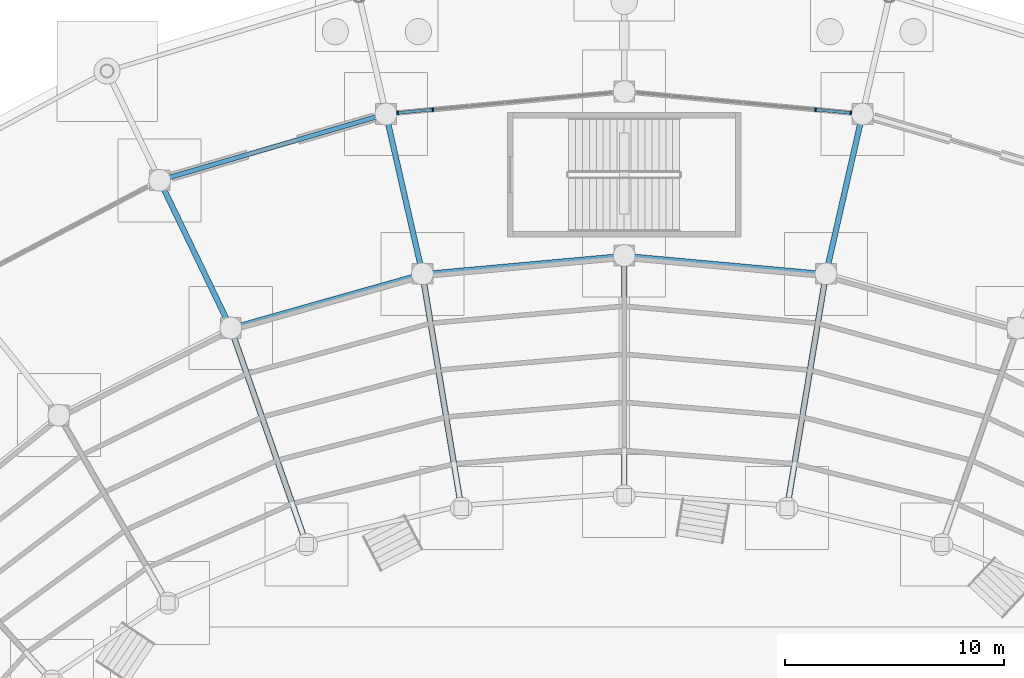
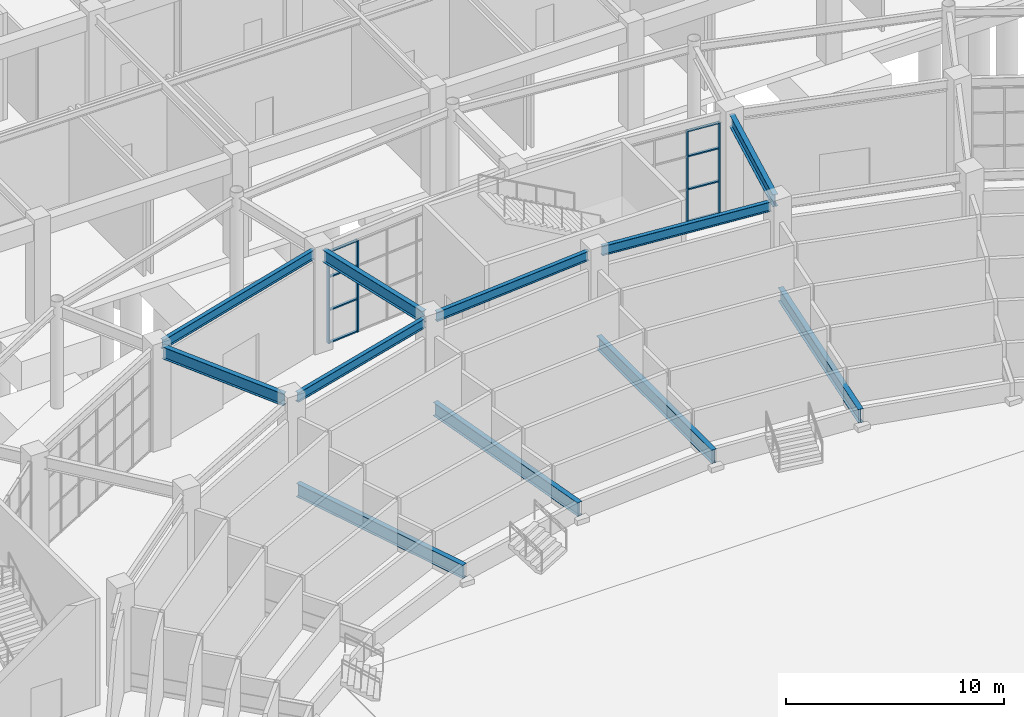
# One storey, part 47 of 121: 12 members, 11 beams, 2 elements without a shape of their own.
"""IFC4 building model written with IfcOpenShell, lengths in metres."""

from ifc_helpers import new_model, si_unit, direction, frame, origin, origin_2d, place, context, subcontext, project, spatial, rectangle, i_section, extrude, material, material_profile, profile_set, type_object, element, aggregate, save


model = new_model("IFC4")

# Units and contexts
model_context = context("Model", 3, precision=1e-05, world=origin(), true_north=direction((0.0, 1.0)))
body_context = subcontext(model_context, "Body", "Model", "MODEL_VIEW")
ifc_project = project(units=[si_unit("LENGTHUNIT", "METRE"), si_unit("AREAUNIT", "SQUARE_METRE"), si_unit("VOLUMEUNIT", "CUBIC_METRE"), si_unit("PLANEANGLEUNIT", "RADIAN"), si_unit("MASSUNIT", "GRAM", prefix="KILO")], contexts=[model_context])

# Site, building, storey
site_placement = place(None, origin())
site = spatial("IfcSite", under=ifc_project, at=site_placement, CompositionType="ELEMENT")
building_placement = place(site_placement, origin())
building = spatial("IfcBuilding", under=site, at=building_placement, Name="Cuetzalor Civic Arena", CompositionType="ELEMENT")
storey_placement = place(building_placement, origin())
storey = spatial("IfcBuildingStorey", under=building, at=storey_placement, Name="L00", CompositionType="ELEMENT", Elevation=0.0)

# Curtain wall, members
ifc_material_1 = material(Name="Anodised dark bronze aluminium and low-E solar glass", Category="aluminium")
curtain_wall_type = type_object("IfcCurtainWallType", Name="UnitisedCW_9950x5150", PredefinedType="USERDEFINED", material=ifc_material_1)
curtain_wall_1_placement = place(storey_placement, origin())
curtain_wall_1 = element("IfcCurtainWall", 1, at=curtain_wall_1_placement, inside=storey, type_object=curtain_wall_type, Name="Drum Ground Recessed Concourse Curtain Wall L00-005", ObjectType="UNITISED CURTAIN WALL", PredefinedType="USERDEFINED")
ifc_material_2 = material(Name="Anodised dark bronze aluminium", Category="aluminium")
ifc_material_profile_1 = material_profile(ifc_material_2, rectangle(XDim=0.070068359375, YDim=0.179931640625, at=origin_2d()), Name="ALU MULLION 70x180")
ifc_profile_set_1 = profile_set([ifc_material_profile_1], Name="Anodised dark bronze aluminium")
member_type_1 = type_object("IfcMemberType", Name="CurtainWallMullion_65x180", PredefinedType="MULLION", material=ifc_profile_set_1)
member_1_placement = place(storey_placement, frame((8.754638671875, 40.174560546875, 0.0), z_axis=(0.0, 0.0, 1.0), x_axis=(0.995585155665, -0.093862654023, 0.0)))
member_1 = element("IfcMember", 2, at=member_1_placement, type_object=member_type_1, Name="CW-05 mullion 6", PredefinedType="MULLION", context=body_context, shape_type="SweptSolid", body=[
    extrude(rectangle(XDim=0.070068359375, YDim=0.179931640625, at=origin_2d()), origin(), (0.0, 0.0, 1.0), 5.156982421875),
])
member_2_placement = place(storey_placement, frame((10.371337890625, 40.022216796875, 0.0), z_axis=(0.0, 0.0, 1.0), x_axis=(0.995585155665, -0.093862654023, 0.0)))
member_2 = element("IfcMember", 3, at=member_2_placement, type_object=member_type_1, Name="CW-05 mullion 7", PredefinedType="MULLION", context=body_context, shape_type="SweptSolid", body=[
    extrude(rectangle(XDim=0.070068359375, YDim=0.179931640625, at=origin_2d()), origin(), (0.0, 0.0, 1.0), 5.156982421875),
])

curtain_wall_2_placement = place(storey_placement, origin())
curtain_wall_2 = element("IfcCurtainWall", 4, at=curtain_wall_2_placement, inside=storey, type_object=curtain_wall_type, Name="Drum Ground Recessed Concourse Curtain Wall L00-006", ObjectType="UNITISED CURTAIN WALL", PredefinedType="USERDEFINED")
member_3_placement = place(storey_placement, frame((-10.371337890625, 40.022216796875, 0.0), z_axis=(0.0, 0.0, 1.0), x_axis=(0.995585155665, 0.093862654023, 0.0)))
member_3 = element("IfcMember", 5, at=member_3_placement, type_object=member_type_1, Name="CW-05 mullion 1", PredefinedType="MULLION", context=body_context, shape_type="SweptSolid", body=[
    extrude(rectangle(XDim=0.070068359375, YDim=0.179931640625, at=origin_2d()), origin(), (0.0, 0.0, 1.0), 5.156982421875),
])
member_4_placement = place(storey_placement, frame((-8.754638671875, 40.174560546875, 0.0), z_axis=(0.0, 0.0, 1.0), x_axis=(0.995585155665, 0.093862654023, 0.0)))
member_4 = element("IfcMember", 6, at=member_4_placement, type_object=member_type_1, Name="CW-05 mullion 2", PredefinedType="MULLION", context=body_context, shape_type="SweptSolid", body=[
    extrude(rectangle(XDim=0.070068359375, YDim=0.179931640625, at=origin_2d()), origin(), (0.0, 0.0, 1.0), 5.156982421875),
])

# Member
ifc_material_3 = material(Name="Anodised dark bronze aluminium", Category="aluminium")
ifc_material_profile_2 = material_profile(ifc_material_3, rectangle(XDim=0.139892578125, YDim=0.070068359375, at=origin_2d()), Name="ALU TRANSOM 70x140")
ifc_profile_set_2 = profile_set([ifc_material_profile_2], Name="Anodised dark bronze aluminium")
member_type_2 = type_object("IfcMemberType", Name="CurtainWallTransom_65x140", PredefinedType="USERDEFINED", material=ifc_profile_set_2)
member_5_placement = place(storey_placement, frame((8.78955078125, 40.17138671875, 0.034912109375), z_axis=(0.995575620742, -0.093963734407, 0.0), x_axis=(0.093963734407, 0.995575620742, 0.0)))
member_5 = element("IfcMember", 7, at=member_5_placement, type_object=member_type_2, Name="CW-05 transom 6.1", ObjectType="TRANSOM", PredefinedType="USERDEFINED", context=body_context, shape_type="SweptSolid", body=[
    extrude(rectangle(XDim=0.139892578125, YDim=0.070068359375, at=origin_2d()), origin(), (0.0, 0.0, 1.0), 1.5537109375),
])

member_6_placement = place(storey_placement, frame((8.78955078125, 40.17138671875, 1.85693359375), z_axis=(0.995575620742, -0.093963734407, 0.0), x_axis=(0.093963734407, 0.995575620742, 0.0)))
member_6 = element("IfcMember", 8, at=member_6_placement, type_object=member_type_2, Name="CW-05 transom 6.2", ObjectType="TRANSOM", PredefinedType="USERDEFINED", context=body_context, shape_type="SweptSolid", body=[
    extrude(rectangle(XDim=0.139892578125, YDim=0.070068359375, at=origin_2d()), origin(), (0.0, 0.0, 1.0), 1.5537109375),
])

member_7_placement = place(storey_placement, frame((8.78955078125, 40.17138671875, 3.712890625), z_axis=(0.995575620742, -0.093963734407, 0.0), x_axis=(0.093963734407, 0.995575620742, 0.0)))
member_7 = element("IfcMember", 9, at=member_7_placement, type_object=member_type_2, Name="CW-05 transom 6.3", ObjectType="TRANSOM", PredefinedType="USERDEFINED", context=body_context, shape_type="SweptSolid", body=[
    extrude(rectangle(XDim=0.139892578125, YDim=0.070068359375, at=origin_2d()), origin(), (0.0, 0.0, 1.0), 1.5537109375),
])

member_8_placement = place(storey_placement, frame((8.78955078125, 40.17138671875, 5.1220703125), z_axis=(0.995575620742, -0.093963734407, 0.0), x_axis=(0.093963734407, 0.995575620742, 0.0)))
member_8 = element("IfcMember", 10, at=member_8_placement, type_object=member_type_2, Name="CW-05 transom 6.4", ObjectType="TRANSOM", PredefinedType="USERDEFINED", context=body_context, shape_type="SweptSolid", body=[
    extrude(rectangle(XDim=0.139892578125, YDim=0.070068359375, at=origin_2d()), origin(), (0.0, 0.0, 1.0), 1.5537109375),
])

aggregate(curtain_wall_1, [member_1, member_2, member_5, member_6, member_7, member_8])

member_9_placement = place(storey_placement, frame((-10.33642578125, 40.025390625, 0.034912109375), z_axis=(0.995575620742, 0.093963734407, 0.0), x_axis=(-0.093963734407, 0.995575620742, 0.0)))
member_9 = element("IfcMember", 11, at=member_9_placement, type_object=member_type_2, Name="CW-05 transom 1.1", ObjectType="TRANSOM", PredefinedType="USERDEFINED", context=body_context, shape_type="SweptSolid", body=[
    extrude(rectangle(XDim=0.139892578125, YDim=0.070068359375, at=origin_2d()), origin(), (0.0, 0.0, 1.0), 1.5537109375),
])

member_10_placement = place(storey_placement, frame((-10.33642578125, 40.025390625, 1.85693359375), z_axis=(0.995575620742, 0.093963734407, 0.0), x_axis=(-0.093963734407, 0.995575620742, 0.0)))
member_10 = element("IfcMember", 12, at=member_10_placement, type_object=member_type_2, Name="CW-05 transom 1.2", ObjectType="TRANSOM", PredefinedType="USERDEFINED", context=body_context, shape_type="SweptSolid", body=[
    extrude(rectangle(XDim=0.139892578125, YDim=0.070068359375, at=origin_2d()), origin(), (0.0, 0.0, 1.0), 1.5537109375),
])

member_11_placement = place(storey_placement, frame((-10.33642578125, 40.025390625, 3.712890625), z_axis=(0.995575620742, 0.093963734407, 0.0), x_axis=(-0.093963734407, 0.995575620742, 0.0)))
member_11 = element("IfcMember", 13, at=member_11_placement, type_object=member_type_2, Name="CW-05 transom 1.3", ObjectType="TRANSOM", PredefinedType="USERDEFINED", context=body_context, shape_type="SweptSolid", body=[
    extrude(rectangle(XDim=0.139892578125, YDim=0.070068359375, at=origin_2d()), origin(), (0.0, 0.0, 1.0), 1.5537109375),
])

member_12_placement = place(storey_placement, frame((-10.33642578125, 40.025390625, 5.1220703125), z_axis=(0.995575620742, 0.093963734407, 0.0), x_axis=(-0.093963734407, 0.995575620742, 0.0)))
member_12 = element("IfcMember", 14, at=member_12_placement, type_object=member_type_2, Name="CW-05 transom 1.4", ObjectType="TRANSOM", PredefinedType="USERDEFINED", context=body_context, shape_type="SweptSolid", body=[
    extrude(rectangle(XDim=0.139892578125, YDim=0.070068359375, at=origin_2d()), origin(), (0.0, 0.0, 1.0), 1.5537109375),
])

aggregate(curtain_wall_2, [member_3, member_4, member_9, member_10, member_11, member_12])

# Beams
ifc_material_4 = material(Name="Steel S355", Category="steel")
ifc_material_profile_3 = material_profile(ifc_material_4, i_section(OverallWidth=0.264892578125, OverallDepth=0.7529296875, WebThickness=0.01318359375, FlangeThickness=0.01708984375, at=origin_2d()), Name="W760x147")
ifc_profile_set_3 = profile_set([ifc_material_profile_3], Name="Steel S355")
beam_type_1 = type_object("IfcBeamType", Name="LowerBowlRakerBeam_W760", PredefinedType="USERDEFINED", material=ifc_profile_set_3)
beam_1_placement = place(storey_placement, frame((7.45458984375, 21.935791015625, 0.6435546875), z_axis=(0.163748622815, 0.986502097578, 0.0), x_axis=(-0.986502097578, 0.163748622815, 0.0)))
element("IfcBeam", 15, at=beam_1_placement, inside=storey, type_object=beam_type_1, Name="Lower Bowl Raker Beam R07", ObjectType="RAKER", PredefinedType="USERDEFINED", context=body_context, shape_type="SweptSolid", body=[
    extrude(i_section(OverallWidth=0.264892578125, OverallDepth=0.7529296875, WebThickness=0.01318359375, FlangeThickness=0.01708984375, at=origin_2d()), origin(), (0.0, 0.0, 1.0), 10.470947265625),
])
beam_2_placement = place(storey_placement, frame((0.0, 22.5, 0.6435546875), z_axis=(0.0, 1.0, 0.0), x_axis=(-1.0, 0.0, 0.0)))
element("IfcBeam", 16, at=beam_2_placement, inside=storey, type_object=beam_type_1, Name="Lower Bowl Raker Beam R08", ObjectType="RAKER", PredefinedType="USERDEFINED", context=body_context, shape_type="SweptSolid", body=[
    extrude(i_section(OverallWidth=0.264892578125, OverallDepth=0.7529296875, WebThickness=0.01318359375, FlangeThickness=0.01708984375, at=origin_2d()), origin(), (0.0, 0.0, 1.0), 10.60009765625),
])
beam_3_placement = place(storey_placement, frame((-7.45458984375, 21.935791015625, 0.6435546875), z_axis=(-0.163748622815, 0.986502097578, 0.0), x_axis=(-0.986502097578, -0.163748622815, 0.0)))
element("IfcBeam", 17, at=beam_3_placement, inside=storey, type_object=beam_type_1, Name="Lower Bowl Raker Beam R09", ObjectType="RAKER", PredefinedType="USERDEFINED", context=body_context, shape_type="SweptSolid", body=[
    extrude(i_section(OverallWidth=0.264892578125, OverallDepth=0.7529296875, WebThickness=0.01318359375, FlangeThickness=0.01708984375, at=origin_2d()), origin(), (0.0, 0.0, 1.0), 10.470947265625),
])
beam_4_placement = place(storey_placement, frame((-14.53515625, 20.271728515625, 0.6435546875), z_axis=(-0.330548514314, 0.943789001676, 0.0), x_axis=(-0.943789001676, -0.330548514314, 0.0)))
element("IfcBeam", 18, at=beam_4_placement, inside=storey, type_object=beam_type_1, Name="Lower Bowl Raker Beam R10", ObjectType="RAKER", PredefinedType="USERDEFINED", context=body_context, shape_type="SweptSolid", body=[
    extrude(i_section(OverallWidth=0.264892578125, OverallDepth=0.7529296875, WebThickness=0.01318359375, FlangeThickness=0.01708984375, at=origin_2d()), origin(), (0.0, 0.0, 1.0), 10.10107421875),
])
ifc_material_5 = material(Name="Steel S355", Category="steel")
ifc_material_profile_4 = material_profile(ifc_material_5, i_section(OverallWidth=0.208984375, OverallDepth=0.532958984375, WebThickness=0.01025390625, FlangeThickness=0.015625, at=origin_2d()), Name="W530x92")
ifc_profile_set_4 = profile_set([ifc_material_profile_4], Name="Steel S355")
beam_type_2 = type_object("IfcBeamType", Name="SteelCollarGirder_W530", PredefinedType="BEAM", material=ifc_profile_set_4)
for number, where, z_axis, x_axis, name in (
    (19, (8.876220703125, 32.692626953125, 5.43359375), (-0.995889930215, 0.090571777597, 0.0), (-0.090571777597, -0.995889930215, 0.0), "Bowl Inner Ring Girder L00-S07"),
    (20, (-0.3583984375, 33.46728515625, 5.43359375), (-0.995889930215, -0.090571777597, 0.0), (0.090571777597, -0.995889930215, 0.0), "Bowl Inner Ring Girder L00-S08"),
):
    element("IfcBeam", number, at=place(storey_placement, frame(where, z_axis=z_axis, x_axis=x_axis)), inside=storey, type_object=beam_type_2, Name=name, PredefinedType="BEAM", context=body_context, shape_type="SweptSolid", body=[
        extrude(i_section(OverallWidth=0.208984375, OverallDepth=0.532958984375, WebThickness=0.01025390625, FlangeThickness=0.015625, at=origin_2d()), origin(), (0.0, 0.0, 1.0), 8.552978515625),
    ])
beam_5_placement = place(storey_placement, frame((-11.258544921875, 39.867919921875, 5.43359375), z_axis=(-0.959716323112, -0.280970779889, 0.0), x_axis=(0.280970779889, -0.959716323112, 0.0)))
element("IfcBeam", 21, at=beam_5_placement, inside=storey, type_object=beam_type_2, Name="Drum Concourse Ring Girder L00-S09", PredefinedType="BEAM", context=body_context, shape_type="SweptSolid", body=[
    extrude(i_section(OverallWidth=0.208984375, OverallDepth=0.532958984375, WebThickness=0.01025390625, FlangeThickness=0.015625, at=origin_2d()), origin(), (0.0, 0.0, 1.0), 10.0517578125),
])
beam_6_placement = place(storey_placement, frame((-9.5810546875, 32.562255859375, 5.43359375), z_axis=(-0.962353567102, -0.271800684117, 0.0), x_axis=(0.271800684117, -0.962353567102, 0.0)))
element("IfcBeam", 22, at=beam_6_placement, inside=storey, type_object=beam_type_2, Name="Bowl Inner Ring Girder L00-S09", PredefinedType="BEAM", context=body_context, shape_type="SweptSolid", body=[
    extrude(i_section(OverallWidth=0.208984375, OverallDepth=0.532958984375, WebThickness=0.01025390625, FlangeThickness=0.015625, at=origin_2d()), origin(), (0.0, 0.0, 1.0), 8.394775390625),
])
ifc_material_6 = material(Name="Steel S355", Category="steel")
ifc_material_profile_5 = material_profile(ifc_material_6, i_section(OverallWidth=0.2529296875, OverallDepth=0.677978515625, WebThickness=0.01171875, FlangeThickness=0.016357421875, at=origin_2d()), Name="W690x125")
ifc_profile_set_5 = profile_set([ifc_material_profile_5], Name="Steel S355")
beam_type_3 = type_object("IfcBeamType", Name="SteelPrimaryGirder_W690", PredefinedType="BEAM", material=ifc_profile_set_5)
for number, where, z_axis, x_axis, name in (
    (23, (9.314697265625, 33.010986328125, 5.361083984375), (0.222531472988, 0.974925506657, 0.0), (-0.974925506657, 0.222531472988, 0.0), "Drum Inner Radial Girder L00-R07"),
    (24, (-9.314697265625, 33.010986328125, 5.361083984375), (-0.222531472988, 0.974925506657, 0.0), (-0.974925506657, -0.222531472988, 0.0), "Drum Inner Radial Girder L00-R09"),
    (25, (-18.162353515625, 30.5068359375, 5.361083984375), (-0.433869751452, 0.900975603874, 0.0), (-0.900975603874, -0.433869751452, 0.0), "Drum Inner Radial Girder L00-R10"),
):
    element("IfcBeam", number, at=place(storey_placement, frame(where, z_axis=z_axis, x_axis=x_axis)), inside=storey, type_object=beam_type_3, Name=name, PredefinedType="BEAM", context=body_context, shape_type="SweptSolid", body=[
        extrude(i_section(OverallWidth=0.2529296875, OverallDepth=0.677978515625, WebThickness=0.01171875, FlangeThickness=0.016357421875, at=origin_2d()), origin(), (0.0, 0.0, 1.0), 6.780029296875),
    ])

save(model, "model.ifc")
